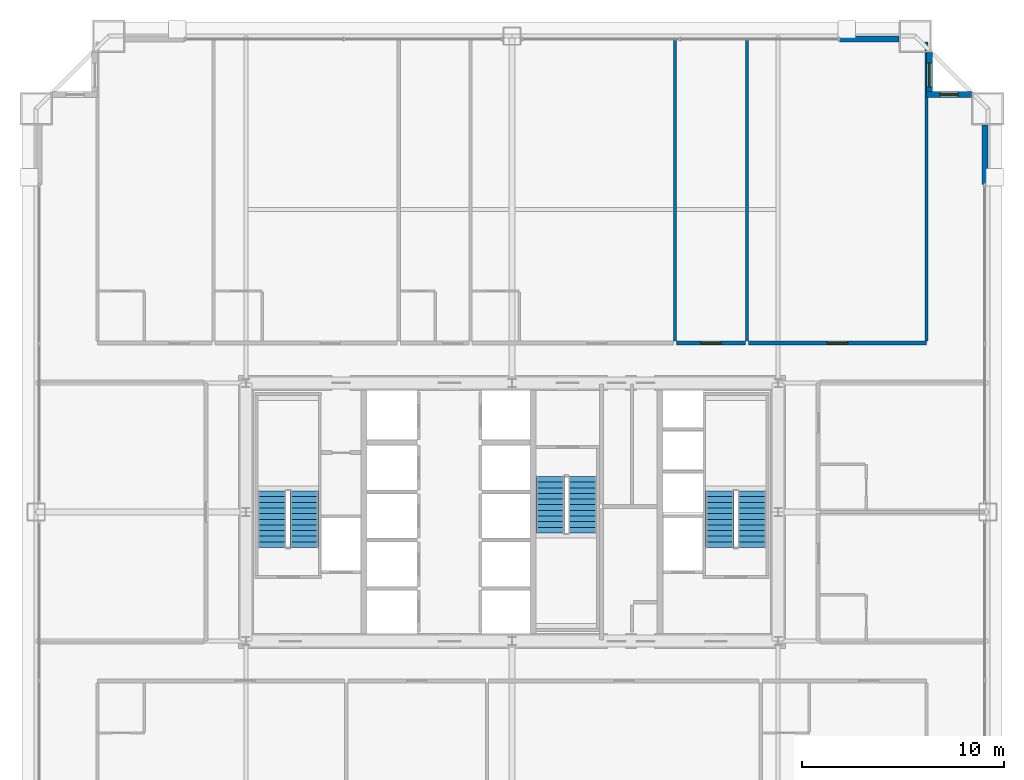
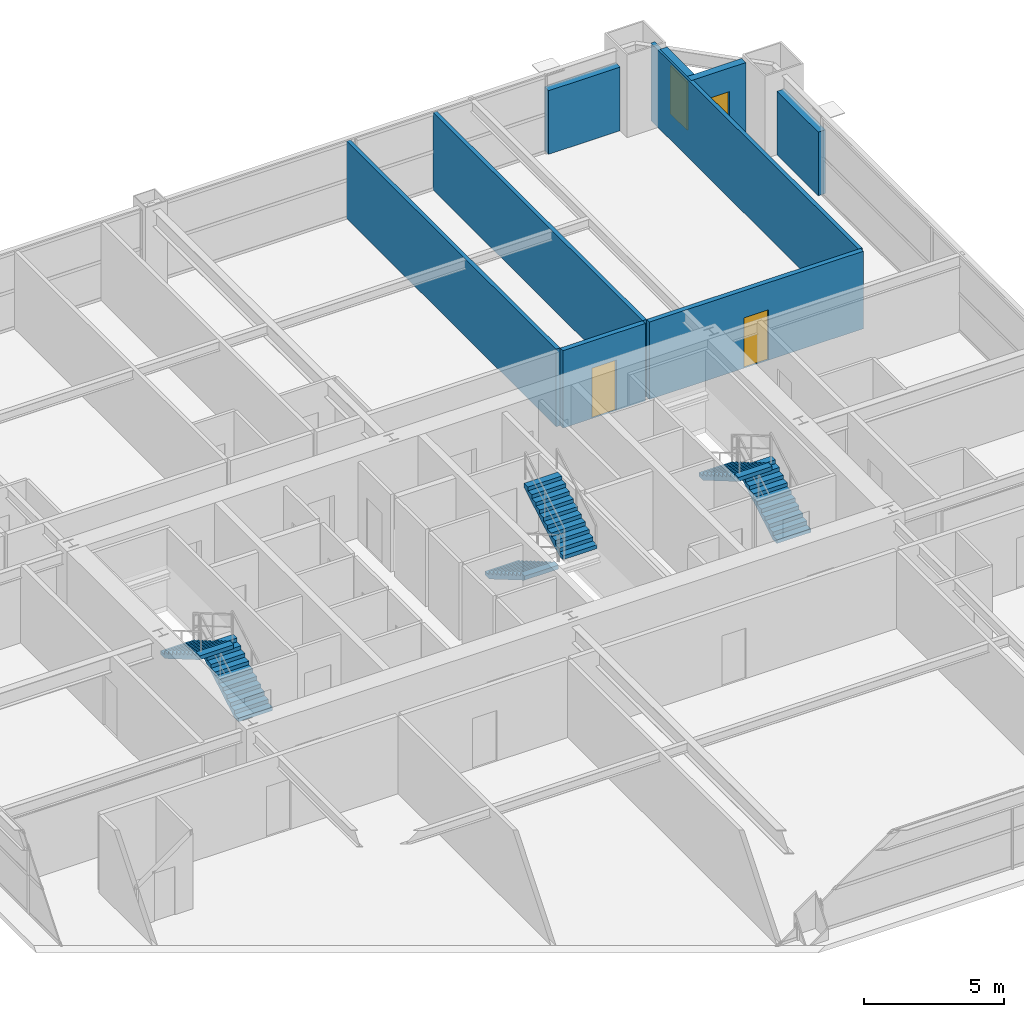
# One storey, part 37 of 38: 9 walls, 6 stair flights, 2 doors, 2 windows, 4 openings, 3 elements without a shape of their own.
"""IFC4 building model written with IfcOpenShell, lengths in metres."""

from ifc_helpers import new_model, si_unit, direction, frame, frame_2d, origin, place, context, subcontext, project, spatial, polyline, rectangle, outline, extrude, source, transform, mapped, material, layer, layer_set, type_object, element, fill, aggregate, save


model = new_model("IFC4")

# Units and contexts
model_context = context("Model", 3, precision=1e-05, world=origin(), true_north=direction((0.0, 1.0)))
body_context = subcontext(model_context, "Body", "Model", "MODEL_VIEW")
ifc_project = project(units=[si_unit("LENGTHUNIT", "METRE"), si_unit("AREAUNIT", "SQUARE_METRE"), si_unit("VOLUMEUNIT", "CUBIC_METRE"), si_unit("PLANEANGLEUNIT", "RADIAN"), si_unit("MASSUNIT", "GRAM", prefix="KILO"), si_unit("THERMODYNAMICTEMPERATUREUNIT", "KELVIN"), si_unit("POWERUNIT", "WATT")], contexts=[model_context])

# Site, building, storey
site_placement = place(None, origin())
site = spatial("IfcSite", under=ifc_project, at=site_placement, CompositionType="ELEMENT")
building_placement = place(site_placement, origin())
building = spatial("IfcBuilding", under=site, at=building_placement, Name="Yuzanri Waterfront Tower", CompositionType="ELEMENT")
storey_placement = place(building_placement, frame((0.0, 0.0, 111.800048828125)))
storey = spatial("IfcBuildingStorey", under=building, at=storey_placement, Name="L29", CompositionType="ELEMENT", Elevation=111.800048828125)

# Wall, opening, window
ifc_material_1 = material(Name="Honed Chongqing Dark Basalt Stone", Category="masonry")
ifc_layer_1 = layer(ifc_material_1, 0.300048828125)
ifc_layer_set_1 = layer_set([ifc_layer_1], Name="Honed Chongqing Dark Basalt Stone")
wall_type_1 = type_object("IfcWallType", Name="Bronze Rainscreen Insulated Spandrel Portal Wall 300", PredefinedType="SOLIDWALL", material=ifc_layer_set_1)
wall_1_placement = place(storey_placement, frame((59.800048828125, 46.5, 0.0), z_axis=(0.0, 0.0, 1.0), x_axis=(-1.0, 0.0, 0.0)))
wall_1 = element("IfcWall", 1, at=wall_1_placement, inside=storey, type_object=wall_type_1, Name="L29 Notched Corner Masonry Wall NE-X", PredefinedType="SOLIDWALL", context=body_context, shape_type="SweptSolid", body=[
    extrude(rectangle(XDim=2.25, YDim=0.300048828125, at=frame_2d((1.125, 0.0))), origin(), (0.0, 0.0, 1.0), 3.3798828125),
])
opening_1_placement = place(wall_1_placement, frame((0.675048828125, 0.0, 0.85009765625)))
opening_1 = element("IfcOpeningElement", 2, at=opening_1_placement, cuts=wall_1, Name="Opening WN-05", PredefinedType="OPENING", context=body_context, shape_type="SweptSolid", body=[
    extrude(rectangle(XDim=0.89990234375, YDim=1.5, at=frame_2d((0.449951171875, 0.75))), frame((0.0, 0.1650390625, 0.0), z_axis=(0.0, -1.0, 0.0), x_axis=(1.0, 0.0, 0.0)), (0.0, 0.0, 1.0), 0.329833984375),
])
ifc_material_2 = material(Name="Double-Silver Low-E Insulated Glass", Category="glass")
window_type_1 = type_object("IfcWindowType", Name="Anodized Bronze Service and Stairwell Smoke-Vent Window 900x1500", PartitioningType="SINGLE_PANEL", PredefinedType="WINDOW", material=ifc_material_2)
shared_shape_1 = source(origin(), body_context, "Body", "SweptSolid", [
    extrude(rectangle(XDim=0.89990234375, YDim=1.5, at=frame_2d((0.449951171875, 0.75))), frame((0.0, 0.030029296875, 0.0), z_axis=(0.0, -1.0, 0.0), x_axis=(1.0, 0.0, 0.0)), (0.0, 0.0, 1.0), 0.06005859375),
])
window_1_placement = place(opening_1_placement, origin())
window_1 = element("IfcWindow", 3, at=window_1_placement, inside=storey, type_object=window_type_1, Name="L29 Notched Corner Window NE-X", OverallHeight=1.5, OverallWidth=0.89990234375, PartitioningType="SINGLE_PANEL", PredefinedType="WINDOW", context=body_context, shape_type="MappedRepresentation", body=[
    mapped(shared_shape_1, transform((0.0, 0.0, 0.0), scale=1.0)),
])
fill(opening_1, window_1)

wall_2_placement = place(storey_placement, frame((57.699951171875, 46.35009765625, 0.0), z_axis=(0.0, 0.0, 1.0), x_axis=(0.0, 1.0, 0.0)))
wall_2 = element("IfcWall", 4, at=wall_2_placement, inside=storey, type_object=wall_type_1, Name="L29 Notched Corner Masonry Wall NE-Y", PredefinedType="SOLIDWALL", context=body_context, shape_type="SweptSolid", body=[
    extrude(rectangle(XDim=2.25, YDim=0.300048828125, at=frame_2d((1.125, 0.0))), origin(), (0.0, 0.0, 1.0), 3.3798828125),
])
opening_2_placement = place(wall_2_placement, frame((0.52490234375, 0.0, 0.85009765625)))
opening_2 = element("IfcOpeningElement", 5, at=opening_2_placement, cuts=wall_2, Name="Opening WN-02", PredefinedType="OPENING", context=body_context, shape_type="SweptSolid", body=[
    extrude(rectangle(XDim=1.199951171875, YDim=2.10009765625, at=frame_2d((0.60009765625, 1.050048828125))), frame((0.0, 0.1650390625, 0.0), z_axis=(0.0, -1.0, 0.0), x_axis=(1.0, 0.0, 0.0)), (0.0, 0.0, 1.0), 0.329833984375),
])
ifc_material_3 = material(Name="Double-Silver Low-E Insulated Glass", Category="glass")
window_type_2 = type_object("IfcWindowType", Name="Anodized Bronze Notched Corner Deep-Set Slot Window 1200x2100", PartitioningType="SINGLE_PANEL", PredefinedType="WINDOW", material=ifc_material_3)
shared_shape_2 = source(origin(), body_context, "Body", "SweptSolid", [
    extrude(rectangle(XDim=1.199951171875, YDim=2.10009765625, at=frame_2d((0.60009765625, 1.050048828125))), frame((0.0, 0.030029296875, 0.0), z_axis=(0.0, -1.0, 0.0), x_axis=(1.0, 0.0, 0.0)), (0.0, 0.0, 1.0), 0.06005859375),
])
window_2_placement = place(opening_2_placement, origin())
window_2 = element("IfcWindow", 6, at=window_2_placement, inside=storey, type_object=window_type_2, Name="L29 Notched Corner Window NE-Y", OverallHeight=2.10009765625, OverallWidth=1.199951171875, PartitioningType="SINGLE_PANEL", PredefinedType="WINDOW", context=body_context, shape_type="MappedRepresentation", body=[
    mapped(shared_shape_2, transform((0.0, 0.0, 0.0), scale=1.0)),
])
fill(opening_2, window_2)

# Wall, opening, door
ifc_material_4 = material(Name="Autoclaved Aerated Concrete Blockwork", Category="masonry")
ifc_layer_2 = layer(ifc_material_4, 0.199951171875)
ifc_layer_set_2 = layer_set([ifc_layer_2], Name="Autoclaved Aerated Concrete Blockwork")
wall_type_2 = type_object("IfcWallType", Name="Corridor and Unit Party Fire Wall 200", PredefinedType="PARTITIONING", material=ifc_layer_set_2)
wall_3_placement = place(storey_placement, frame((45.1669921875, 34.179931640625, 0.0), z_axis=(0.0, 0.0, 1.0), x_axis=(1.0, 0.0, 0.0)))
wall_3 = element("IfcWall", 7, at=wall_3_placement, inside=storey, type_object=wall_type_2, Name="L29 Partition UW-L29-N5-CS", PredefinedType="PARTITIONING", context=body_context, shape_type="SweptSolid", body=[
    extrude(rectangle(XDim=3.404052734375, YDim=0.199951171875, at=frame_2d((1.7021484375, 0.0))), origin(), (0.0, 0.0, 1.0), 3.3798828125),
])
opening_3_placement = place(wall_3_placement, frame((1.201904296875, 0.0, 0.0)))
opening_3 = element("IfcOpeningElement", 8, at=opening_3_placement, cuts=wall_3, Name="Opening FD-1000", PredefinedType="OPENING", context=body_context, shape_type="SweptSolid", body=[
    extrude(rectangle(XDim=1.0, YDim=2.199951171875, at=frame_2d((0.5, 1.10009765625))), frame((0.0, 0.11474609375, 0.0), z_axis=(0.0, -1.0, 0.0), x_axis=(1.0, 0.0, 0.0)), (0.0, 0.0, 1.0), 0.229736328125),
])
ifc_material_5 = material(Name="Engineered Oak Fire-Rated Timber", Category="wood")
door_type = type_object("IfcDoorType", Name="Guestroom and Apartment Entrance Fire Door 1000x2200", OperationType="NOTDEFINED", PredefinedType="DOOR", material=ifc_material_5)
shared_shape_3 = source(origin(), body_context, "Body", "SweptSolid", [
    extrude(rectangle(XDim=1.0, YDim=2.199951171875, at=frame_2d((0.5, 1.10009765625))), frame((0.0, 0.02490234375, 0.0), z_axis=(0.0, -1.0, 0.0), x_axis=(1.0, 0.0, 0.0)), (0.0, 0.0, 1.0), 0.050048828125),
])
door_1_placement = place(opening_3_placement, origin())
door_1 = element("IfcDoor", 9, at=door_1_placement, inside=storey, type_object=door_type, Name="L29 Private Dining Restaurant Entrance Door", OperationType="SINGLE_SWING_RIGHT", OverallHeight=2.199951171875, OverallWidth=1.0, PredefinedType="DOOR", context=body_context, shape_type="MappedRepresentation", body=[
    mapped(shared_shape_3, transform((0.0, 0.0, 0.0), scale=1.0)),
])
fill(opening_3, door_1)

wall_4_placement = place(storey_placement, frame((48.73095703125, 34.179931640625, 0.0), z_axis=(0.0, 0.0, 1.0), x_axis=(1.0, 0.0, 0.0)))
wall_4 = element("IfcWall", 10, at=wall_4_placement, inside=storey, type_object=wall_type_2, Name="L29 Partition UW-L29-N6-CS", PredefinedType="PARTITIONING", context=body_context, shape_type="SweptSolid", body=[
    extrude(rectangle(XDim=8.8291015625, YDim=0.199951171875, at=frame_2d((4.41455078125, 0.0))), origin(), (0.0, 0.0, 1.0), 3.3798828125),
])
opening_4_placement = place(wall_4_placement, frame((3.9140625, 0.0, 0.0)))
opening_4 = element("IfcOpeningElement", 11, at=opening_4_placement, cuts=wall_4, Name="Opening FD-1000", PredefinedType="OPENING", context=body_context, shape_type="SweptSolid", body=[
    extrude(rectangle(XDim=1.0, YDim=2.199951171875, at=frame_2d((0.5, 1.10009765625))), frame((0.0, 0.11474609375, 0.0), z_axis=(0.0, -1.0, 0.0), x_axis=(1.0, 0.0, 0.0)), (0.0, 0.0, 1.0), 0.229736328125),
])
door_2_placement = place(opening_4_placement, origin())
door_2 = element("IfcDoor", 12, at=door_2_placement, inside=storey, type_object=door_type, Name="L29 Sky Tea Restaurant Entrance Door", OperationType="SINGLE_SWING_LEFT", OverallHeight=2.199951171875, OverallWidth=1.0, PredefinedType="DOOR", context=body_context, shape_type="MappedRepresentation", body=[
    mapped(shared_shape_3, transform((0.0, 0.0, 0.0), scale=1.0)),
])
fill(opening_4, door_2)

# Walls
shared_shape_4 = source(origin(), body_context, "Body", "SweptSolid", [
    extrude(rectangle(XDim=2.949951171875, YDim=0.300048828125, at=frame_2d((1.47509765625, 0.0))), origin(), (0.0, 0.0, 1.0), 2.77490234375),
])
for number, where, z_axis, x_axis, name in (
    (13, (53.25, 49.25, 0.0), (0.0, 0.0, 1.0), (1.0, 0.0, 0.0), "L29 N Right Braced Masonry Shoulder"),
    (14, (60.449951171875, 42.050048828125, 0.0), (0.0, 0.0, 1.0), (0.0, 1.0, 0.0), "L29 E Right Braced Masonry Shoulder"),
):
    element("IfcWall", number, at=place(storey_placement, frame(where, z_axis=z_axis, x_axis=x_axis)), inside=storey, type_object=wall_type_1, Name=name, PredefinedType="SOLIDWALL", context=body_context, shape_type="MappedRepresentation", body=[
        mapped(shared_shape_4, transform((0.0, 0.0, 0.0), scale=1.0)),
    ])
ifc_material_6 = material(Name="Gypsum Fireboard Acoustic Stud Wall", Category="gypsum")
ifc_layer_3 = layer(ifc_material_6, 0.159912109375)
ifc_layer_set_3 = layer_set([ifc_layer_3], Name="Gypsum Fireboard Acoustic Stud Wall")
wall_type_3 = type_object("IfcWallType", Name="Acoustic Suite Demising Partition 160", PredefinedType="PARTITIONING", material=ifc_layer_set_3)
shared_shape_5 = source(origin(), body_context, "Body", "SweptSolid", [
    extrude(rectangle(XDim=14.969970703125, YDim=0.159912109375, at=frame_2d((7.48486328125, 0.0))), origin(), (0.0, 0.0, 1.0), 3.3798828125),
])
for number, where, z_axis, x_axis, name in (
    (15, (45.0869140625, 34.280029296875, 0.0), (0.0, 0.0, 1.0), (0.0, 1.0, 0.0), "L29-N4 Party Wall"),
    (16, (48.65087890625, 34.280029296875, 0.0), (0.0, 0.0, 1.0), (0.0, 1.0, 0.0), "L29-N5 Party Wall"),
):
    element("IfcWall", number, at=place(storey_placement, frame(where, z_axis=z_axis, x_axis=x_axis)), inside=storey, type_object=wall_type_3, Name=name, PredefinedType="PARTITIONING", context=body_context, shape_type="MappedRepresentation", body=[
        mapped(shared_shape_5, transform((0.0, 0.0, 0.0), scale=1.0)),
    ])
shared_shape_6 = source(origin(), body_context, "Body", "SweptSolid", [
    extrude(rectangle(XDim=14.820068359375, YDim=0.159912109375, at=frame_2d((7.41015625, 0.0))), origin(), (0.0, 0.0, 1.0), 3.3798828125),
])
wall_5_placement = place(storey_placement, frame((57.550048828125, 34.280029296875, 0.0), z_axis=(0.0, 0.0, 1.0), x_axis=(0.0, 1.0, 0.0)))
element("IfcWall", 17, at=wall_5_placement, inside=storey, type_object=wall_type_3, Name="L29 North Band East End Wall", PredefinedType="PARTITIONING", context=body_context, shape_type="MappedRepresentation", body=[
    mapped(shared_shape_6, transform((0.0, 0.0, 0.0), scale=1.0)),
])

# Stair, stair flights
ifc_material_7 = material(Name="Concrete C40", Category="concrete")
stair_type = type_object("IfcStairType", Name="Concrete C40 Core Dogleg Exit Stair", PredefinedType="HALF_TURN_STAIR", material=ifc_material_7)
stair_1_placement = place(storey_placement, origin())
stair_1 = element("IfcStair", 18, at=stair_1_placement, inside=storey, type_object=stair_type, Name="L29 Smoke-Proof Core Stair ST-01", PredefinedType="HALF_TURN_STAIR")
ifc_material_8 = material(Name="Concrete C40", Category="concrete")
stair_flight_type = type_object("IfcStairFlightType", Name="Concrete C40 Precast Stair Flight 1380", PredefinedType="STRAIGHT", material=ifc_material_8)
shared_shape_7 = source(origin(), body_context, "Body", "SweptSolid", [
    extrude(outline(polyline([(0.0, 0.0), (0.0, 0.16357421875), (0.280029296875, 0.16357421875), (0.280029296875, 0.327392578125), (0.56005859375, 0.327392578125), (0.56005859375, 0.490966796875), (0.840087890625, 0.490966796875), (0.840087890625, 0.654541015625), (1.1201171875, 0.654541015625), (1.1201171875, 0.818115234375), (1.39990234375, 0.818115234375), (1.39990234375, 0.98193359375), (1.679931640625, 0.98193359375), (1.679931640625, 1.1455078125), (1.9599609375, 1.1455078125), (1.9599609375, 1.30908203125), (2.239990234375, 1.30908203125), (2.239990234375, 1.47265625), (2.52001953125, 1.47265625), (2.52001953125, 1.636474609375), (2.800048828125, 1.636474609375), (2.800048828125, 1.800048828125), (2.800048828125, 1.462646484375), (0.297119140625, 0.0), (0.0, 0.0)])), frame((0.0, 0.699951171875, 0.0), z_axis=(0.0, -1.0, 0.0), x_axis=(1.0, 0.0, 0.0)), (0.0, 0.0, 1.0), 1.39990234375),
])
stair_flight_1_placement = place(storey_placement, frame((26.699951171875, 24.0400390625, 0.0), z_axis=(0.0, 0.0, 1.0), x_axis=(0.0, 1.0, 0.0)))
stair_flight_1 = element("IfcStairFlight", 19, at=stair_flight_1_placement, type_object=stair_flight_type, Name="ST-01 flight 1", NumberOfRisers=11, NumberOfTreads=10, PredefinedType="STRAIGHT", RiserHeight=0.163636364, TreadLength=0.28, context=body_context, shape_type="MappedRepresentation", body=[
    mapped(shared_shape_7, transform((0.0, 0.0, 0.0), scale=1.0)),
])
stair_flight_2_placement = place(storey_placement, frame((25.10009765625, 26.840087890625, 1.800048828125), z_axis=(0.0, 0.0, 1.0), x_axis=(0.0, -1.0, 0.0)))
stair_flight_2 = element("IfcStairFlight", 20, at=stair_flight_2_placement, type_object=stair_flight_type, Name="ST-01 flight 2", NumberOfRisers=11, NumberOfTreads=10, PredefinedType="STRAIGHT", RiserHeight=0.163636364, TreadLength=0.28, context=body_context, shape_type="MappedRepresentation", body=[
    mapped(shared_shape_7, transform((0.0, 0.0, 0.0), scale=1.0)),
])
aggregate(stair_1, [stair_flight_1, stair_flight_2])

stair_2_placement = place(storey_placement, origin())
stair_2 = element("IfcStair", 21, at=stair_2_placement, inside=storey, type_object=stair_type, Name="L29 Smoke-Proof Core Stair ST-02", PredefinedType="HALF_TURN_STAIR")
stair_flight_3_placement = place(storey_placement, frame((48.89990234375, 24.0400390625, 0.0), z_axis=(0.0, 0.0, 1.0), x_axis=(0.0, 1.0, 0.0)))
stair_flight_3 = element("IfcStairFlight", 22, at=stair_flight_3_placement, type_object=stair_flight_type, Name="ST-02 flight 1", NumberOfRisers=11, NumberOfTreads=10, PredefinedType="STRAIGHT", RiserHeight=0.163636364, TreadLength=0.28, context=body_context, shape_type="MappedRepresentation", body=[
    mapped(shared_shape_7, transform((0.0, 0.0, 0.0), scale=1.0)),
])
stair_flight_4_placement = place(storey_placement, frame((47.300048828125, 26.840087890625, 1.800048828125), z_axis=(0.0, 0.0, 1.0), x_axis=(0.0, -1.0, 0.0)))
stair_flight_4 = element("IfcStairFlight", 23, at=stair_flight_4_placement, type_object=stair_flight_type, Name="ST-02 flight 2", NumberOfRisers=11, NumberOfTreads=10, PredefinedType="STRAIGHT", RiserHeight=0.163636364, TreadLength=0.28, context=body_context, shape_type="MappedRepresentation", body=[
    mapped(shared_shape_7, transform((0.0, 0.0, 0.0), scale=1.0)),
])
aggregate(stair_2, [stair_flight_3, stair_flight_4])

stair_3_placement = place(storey_placement, origin())
stair_3 = element("IfcStair", 24, at=stair_3_placement, inside=storey, type_object=stair_type, Name="L29 Smoke-Proof Core Stair ST-03", PredefinedType="HALF_TURN_STAIR")
stair_flight_5_placement = place(storey_placement, frame((38.89990234375, 27.56005859375, 0.0), z_axis=(0.0, 0.0, 1.0), x_axis=(0.0, -1.0, 0.0)))
stair_flight_5 = element("IfcStairFlight", 25, at=stair_flight_5_placement, type_object=stair_flight_type, Name="ST-03 flight 1", NumberOfRisers=11, NumberOfTreads=10, PredefinedType="STRAIGHT", RiserHeight=0.163636364, TreadLength=0.28, context=body_context, shape_type="MappedRepresentation", body=[
    mapped(shared_shape_7, transform((0.0, 0.0, 0.0), scale=1.0)),
])
stair_flight_6_placement = place(storey_placement, frame((40.5, 24.760009765625, 1.800048828125), z_axis=(0.0, 0.0, 1.0), x_axis=(0.0, 1.0, 0.0)))
stair_flight_6 = element("IfcStairFlight", 26, at=stair_flight_6_placement, type_object=stair_flight_type, Name="ST-03 flight 2", NumberOfRisers=11, NumberOfTreads=10, PredefinedType="STRAIGHT", RiserHeight=0.163636364, TreadLength=0.28, context=body_context, shape_type="MappedRepresentation", body=[
    mapped(shared_shape_7, transform((0.0, 0.0, 0.0), scale=1.0)),
])
aggregate(stair_3, [stair_flight_5, stair_flight_6])

save(model, "model.ifc")
